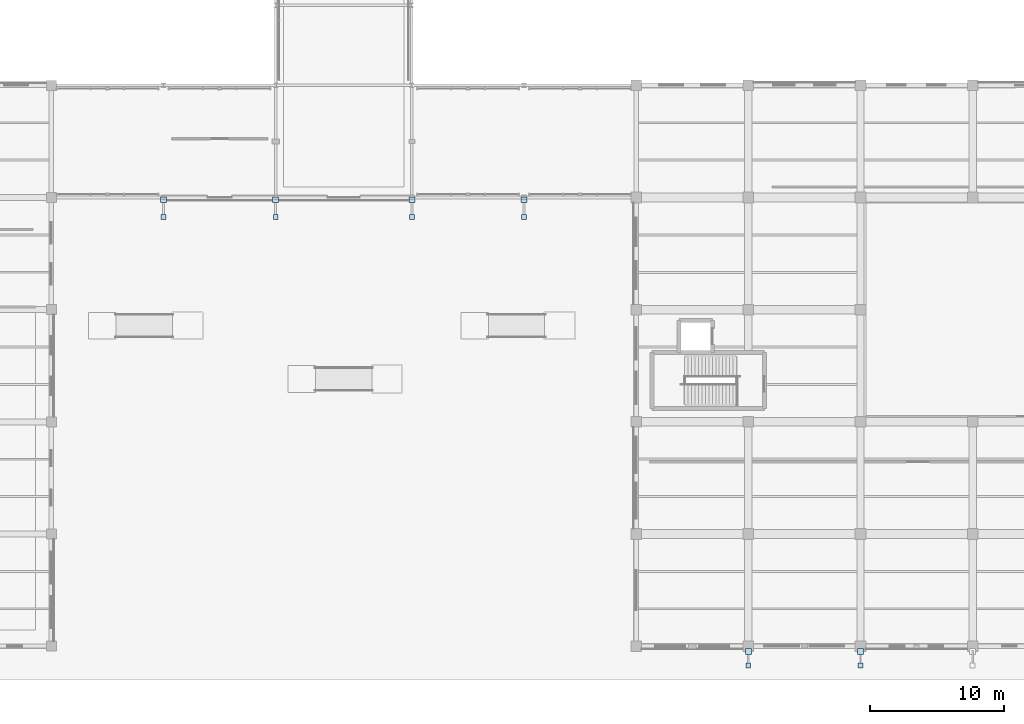
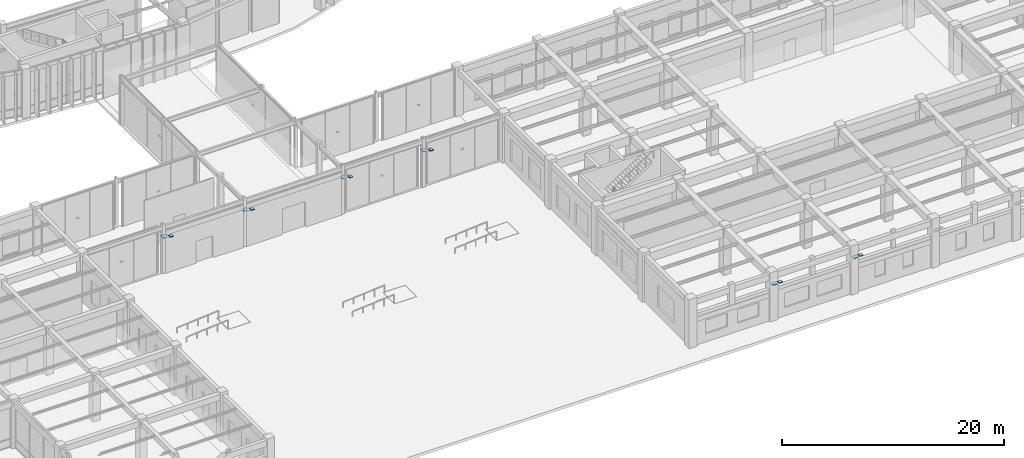
# One storey, part 120 of 157: 12 plates.
"""IFC4 building model written with IfcOpenShell, lengths in metres."""

from ifc_helpers import new_model, si_unit, direction, frame, origin, origin_2d, place, context, subcontext, project, spatial, rectangle, extrude, material, layer, layer_set, type_object, element, save


model = new_model("IFC4")

# Units and contexts
model_context = context("Model", 3, precision=1e-05, world=origin(), true_north=direction((0.0, 1.0)))
body_context = subcontext(model_context, "Body", "Model", "MODEL_VIEW")
ifc_project = project(units=[si_unit("LENGTHUNIT", "METRE"), si_unit("AREAUNIT", "SQUARE_METRE"), si_unit("VOLUMEUNIT", "CUBIC_METRE"), si_unit("PLANEANGLEUNIT", "RADIAN"), si_unit("MASSUNIT", "GRAM", prefix="KILO"), si_unit("THERMODYNAMICTEMPERATUREUNIT", "KELVIN"), si_unit("POWERUNIT", "WATT")], contexts=[model_context])

# Site, building, storey
site_placement = place(None, origin())
site = spatial("IfcSite", under=ifc_project, at=site_placement, CompositionType="ELEMENT")
building_placement = place(site_placement, origin())
building = spatial("IfcBuilding", under=site, at=building_placement, Name="Darbajah Civic Hall", CompositionType="ELEMENT")
storey_placement = place(building_placement, origin())
storey = spatial("IfcBuildingStorey", under=building, at=storey_placement, Name="L00", CompositionType="ELEMENT", Elevation=0.0)

# Plates
ifc_material = material(Name="Steel S355JR", Category="steel")
ifc_layer_1 = layer(ifc_material, 0.01611328125, Name="Steel S355JR")
ifc_layer_set_1 = layer_set([ifc_layer_1], Name="Steel S355JR")
plate_type_1 = type_object("IfcPlateType", Name="Steel Gusset Plate 360x360x16", PredefinedType="SHEET", material=ifc_layer_set_1)
for number, where, z_axis, x_axis, name in (
    (1, (75.60009765625, 32.14990234375, 4.94189453125), (0.0, 0.0, 1.0), (1.0, 0.0, 0.0), "L00 chhajja strut end cap plate 1"),
    (2, (84.0, 32.14990234375, 4.94189453125), (0.0, 0.0, 1.0), (1.0, 0.0, 0.0), "L00 chhajja strut end cap plate 2"),
    (3, (94.199951171875, 32.14990234375, 4.94189453125), (0.0, 0.0, 1.0), (1.0, 0.0, 0.0), "L00 chhajja strut end cap plate 3"),
    (4, (102.60009765625, 32.14990234375, 4.94189453125), (0.0, 0.0, 1.0), (1.0, 0.0, 0.0), "L00 chhajja strut end cap plate 4"),
    (5, (119.39990234375, -1.449951171875, 4.94189453125), (0.0, 0.0, 1.0), (1.0, 0.0, 0.0), "L00 chhajja strut end cap plate 5"),
    (6, (127.800048828125, -1.449951171875, 4.94189453125), (0.0, 0.0, 1.0), (1.0, 0.0, 0.0), "L00 chhajja strut end cap plate 6"),
):
    element("IfcPlate", number, at=place(storey_placement, frame(where, z_axis=z_axis, x_axis=x_axis)), inside=storey, type_object=plate_type_1, Name=name, PredefinedType="SHEET", context=body_context, shape_type="SweptSolid", body=[
        extrude(rectangle(XDim=0.360107421875, YDim=0.360107421875, at=origin_2d()), origin(), (0.0, 0.0, 1.0), 0.01611328125),
    ])
ifc_layer_2 = layer(ifc_material, 0.02001953125, Name="Steel S355JR")
ifc_layer_set_2 = layer_set([ifc_layer_2], Name="Steel S355JR")
plate_type_2 = type_object("IfcPlateType", Name="Steel Gusset Plate 440x440x20", PredefinedType="SHEET", material=ifc_layer_set_2)
for number, where, z_axis, x_axis, name in (
    (7, (75.60009765625, 33.431884765625, 4.090087890625), (0.0, 0.0, 1.0), (1.0, 0.0, 0.0), "L00 chhajja strut inner gusset plate 1"),
    (8, (84.0, 33.431884765625, 4.090087890625), (0.0, 0.0, 1.0), (1.0, 0.0, 0.0), "L00 chhajja strut inner gusset plate 2"),
    (9, (94.199951171875, 33.431884765625, 4.090087890625), (0.0, 0.0, 1.0), (1.0, 0.0, 0.0), "L00 chhajja strut inner gusset plate 3"),
    (10, (102.60009765625, 33.431884765625, 4.090087890625), (0.0, 0.0, 1.0), (1.0, 0.0, 0.0), "L00 chhajja strut inner gusset plate 4"),
    (11, (119.39990234375, -0.407958984375, 4.090087890625), (0.0, 0.0, 1.0), (1.0, 0.0, 0.0), "L00 chhajja strut inner gusset plate 5"),
    (12, (127.800048828125, -0.407958984375, 4.090087890625), (0.0, 0.0, 1.0), (1.0, 0.0, 0.0), "L00 chhajja strut inner gusset plate 6"),
):
    element("IfcPlate", number, at=place(storey_placement, frame(where, z_axis=z_axis, x_axis=x_axis)), inside=storey, type_object=plate_type_2, Name=name, PredefinedType="SHEET", context=body_context, shape_type="SweptSolid", body=[
        extrude(rectangle(XDim=0.43994140625, YDim=0.43994140625, at=origin_2d()), origin(), (0.0, 0.0, 1.0), 0.02001953125),
    ])

save(model, "model.ifc")
